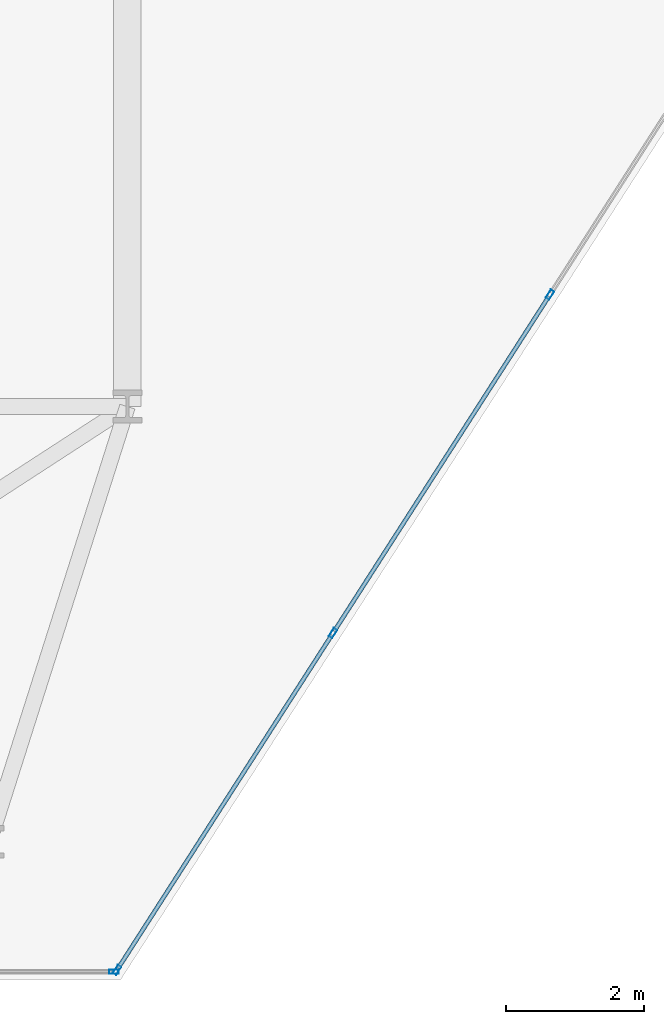
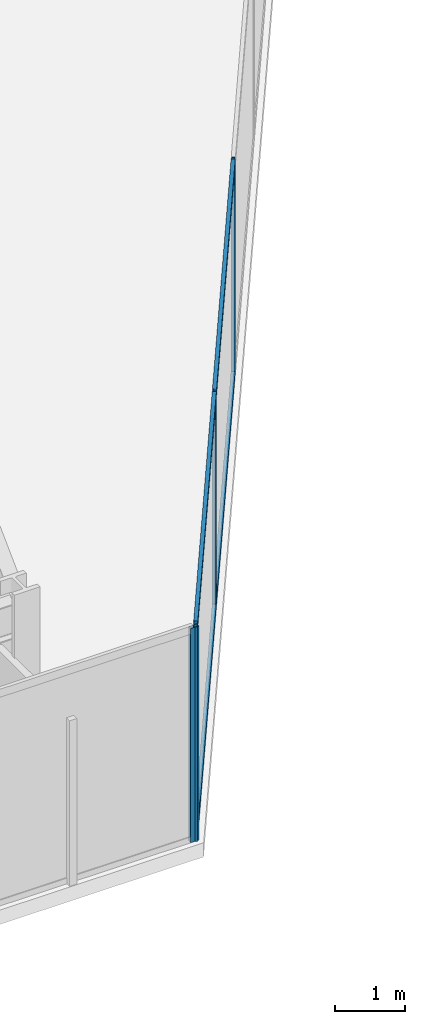
# One storey, part 7 of 26: 8 members, 2 elements without a shape of their own.
"""IFC4 building model written with IfcOpenShell, lengths in metres."""

import ifcopenshell
import ifcopenshell.guid

model = None  # the IFC model being written
_history = None  # IfcOwnerHistory: only IFC2X3 demands one
_inside = {}  # id of a spatial element -> (the spatial element, [elements in it])
_under = {}  # id of a project, library or spatial element -> (it, [spatial elements below it])
_declared = {}  # id of a project -> (the project, [libraries it declares])
_typed = {}  # id of a type object -> (the type object, [elements of that type])
_made_of = {}  # id of a material, layer set ... -> (it, [elements and type objects made of it])


def new_model(schema):
    """Start an empty IFC model of exactly this schema.

    Asked for "IFC4X3", IfcOpenShell would pick the latest addendum, in which some entities
    have other attributes; the version numbers below select the first issue.
    IFC2X3 requires an IfcOwnerHistory on every rooted entity: one is made here for all.
    """
    global model, _history
    if schema == "IFC4X3":
        model = ifcopenshell.file(schema_version=(4, 3, 0, 0))
    else:
        model = ifcopenshell.file(schema=schema)
    _inside.clear()
    _under.clear()
    _declared.clear()
    _typed.clear()
    _made_of.clear()
    _history = None
    if model.schema == "IFC2X3":
        org = make("IfcOrganization", Name="unknown")
        user = make(
            "IfcPersonAndOrganization",
            ThePerson=make("IfcPerson", FamilyName="unknown"),
            TheOrganization=org,
        )
        app = make(
            "IfcApplication",
            ApplicationDeveloper=org,
            Version="unknown",
            ApplicationFullName="unknown",
            ApplicationIdentifier="unknown",
        )
        _history = make(
            "IfcOwnerHistory",
            OwningUser=user,
            OwningApplication=app,
            ChangeAction="ADDED",
            CreationDate=0,
        )
    return model


def make(cls, **values):
    """One entity of the class cls with the attributes given. An attribute that is None is left unset."""
    return model.create_entity(
        cls, **{name: value for name, value in values.items() if value is not None}
    )


def rooted(cls, **values):
    """An entity with a GlobalId (a new one), such as an element, a storey or a relation."""
    return make(cls, GlobalId=ifcopenshell.guid.new(), OwnerHistory=_history, **values)


def si_unit(unit_type, name, prefix=None):
    """IfcSIUnit, for example si_unit("LENGTHUNIT", "METRE", prefix="MILLI")."""
    return make("IfcSIUnit", UnitType=unit_type, Prefix=prefix, Name=name)


def assignment(units):
    """IfcUnitAssignment: the units of a project."""
    return None if units is None else make("IfcUnitAssignment", Units=units)


def point(xyz):
    """IfcCartesianPoint."""
    return None if xyz is None else make("IfcCartesianPoint", Coordinates=xyz)


def direction(xyz):
    """IfcDirection."""
    return None if xyz is None else make("IfcDirection", DirectionRatios=xyz)


def frame(location, z_axis=None, x_axis=None):
    """IfcAxis2Placement3D, a coordinate frame: its origin and axes. An axis left out is left unset."""
    return make(
        "IfcAxis2Placement3D",
        Location=point(location),
        Axis=direction(z_axis),
        RefDirection=direction(x_axis),
    )


def frame_2d(location, x_axis=None):
    """IfcAxis2Placement2D, a coordinate frame in the plane: its origin and x axis."""
    return make(
        "IfcAxis2Placement2D", Location=point(location), RefDirection=direction(x_axis)
    )


def origin():
    """The frame at (0, 0, 0) with its axes left unset."""
    return frame((0.0, 0.0, 0.0))


def origin_2d():
    """The frame at (0, 0) in the plane with its x axis left unset."""
    return frame_2d((0.0, 0.0))


def place(relative_to, where):
    """IfcLocalPlacement: puts the frame where relative to a parent placement (None: the world)."""
    return make(
        "IfcLocalPlacement", PlacementRelTo=relative_to, RelativePlacement=where
    )


def context(
    kind, dimensions, precision=None, world=None, true_north=None, identifier=None
):
    """IfcGeometricRepresentationContext, for example the 3D "Model" context."""
    return make(
        "IfcGeometricRepresentationContext",
        ContextIdentifier=identifier,
        ContextType=kind,
        CoordinateSpaceDimension=dimensions,
        Precision=precision,
        WorldCoordinateSystem=world,
        TrueNorth=true_north,
    )


def subcontext(parent, identifier, kind, view, scale=None):
    """IfcGeometricRepresentationSubContext, for example "Body" below "Model"."""
    return make(
        "IfcGeometricRepresentationSubContext",
        ContextIdentifier=identifier,
        ContextType=kind,
        ParentContext=parent,
        TargetScale=scale,
        TargetView=view,
    )


def project(units=None, contexts=None):
    """IfcProject with its units and contexts."""
    return rooted(
        "IfcProject",
        Name="project",
        RepresentationContexts=contexts,
        UnitsInContext=assignment(units),
    )


def spatial(cls, under=None, at=None, **own):
    """A site, building, storey or space (cls), placed at a placement, below another one or the project."""
    s = rooted(cls, ObjectPlacement=at, **own)
    if under is not None:
        _under.setdefault(under.id(), (under, []))[1].append(s)
    return s


def profile(cls, at=None, kind="AREA", **sizes):
    """A parametric profile (cls). Its sizes go by their IFC names, for example OverallWidth=200.0."""
    return make(cls, ProfileType=kind, Position=at, **sizes)


def hollow_rectangle(**sizes):
    """IfcRectangleHollowProfileDef."""
    return profile("IfcRectangleHollowProfileDef", **sizes)


def extrude(swept, where, along, depth):
    """IfcExtrudedAreaSolid: the profile swept, set in the frame where, extruded along a direction by depth."""
    return make(
        "IfcExtrudedAreaSolid",
        SweptArea=swept,
        Position=where,
        ExtrudedDirection=direction(along),
        Depth=depth,
    )


def shape(context_of_items, identifier, shape_type, items):
    """IfcShapeRepresentation: the items that make up one representation, for example the "Body"."""
    return make(
        "IfcShapeRepresentation",
        ContextOfItems=context_of_items,
        RepresentationIdentifier=identifier,
        RepresentationType=shape_type,
        Items=items,
    )


def material(Name=None, Category=None):
    """IfcMaterial."""
    return make("IfcMaterial", Name=Name, Category=Category)


def layer(
    of_material, thickness, ventilated=None, Name=None, Category=None, Priority=None
):
    """IfcMaterialLayer: one layer of a wall or slab, of a material (None: an air gap)."""
    return make(
        "IfcMaterialLayer",
        Material=of_material,
        LayerThickness=thickness,
        IsVentilated=ventilated,
        Name=Name,
        Category=Category,
        Priority=Priority,
    )


def layer_set(layers, Name=None):
    """IfcMaterialLayerSet."""
    return make("IfcMaterialLayerSet", MaterialLayers=layers, LayerSetName=Name)


def material_profile(
    of_material, cross_section, Name=None, Category=None, Priority=None
):
    """IfcMaterialProfile: a cross section and its material."""
    return make(
        "IfcMaterialProfile",
        Name=Name,
        Material=of_material,
        Profile=cross_section,
        Priority=Priority,
        Category=Category,
    )


def profile_set(profiles, Name=None, composite=None):
    """IfcMaterialProfileSet."""
    return make(
        "IfcMaterialProfileSet",
        Name=Name,
        MaterialProfiles=profiles,
        CompositeProfile=composite,
    )


def made_of(thing, what):
    """Note that an element or type object is made of a material, layer set ...; save() writes the relation."""
    if what is not None:
        _made_of.setdefault(what.id(), (what, []))[1].append(thing)
    return thing


def type_object(cls, material=None, **own):
    """A type object (cls), such as IfcWallType, which elements share."""
    return made_of(rooted(cls, **own), material)


def element(
    cls,
    number,
    at=None,
    inside=None,
    cuts=None,
    type_object=None,
    material=None,
    context=None,
    identifier="Body",
    shape_type=None,
    held_by="IfcProductDefinitionShape",
    body=None,
    shapes=None,
    **own,
):
    """One element of the class cls, such as IfcWall. Its Tag is "e" and its number.

    at: its placement. inside: the storey or other place that contains it. cuts: it is an
    opening in that element (IfcRelVoidsElement). A single representation is given by context,
    identifier, shape_type and body (its items); several are given by shapes. held_by: the class
    of the entity that holds the representations. save() writes the other relations.
    """
    e = rooted(cls, Tag="e%d" % number, ObjectPlacement=at, **own)
    if body is not None:
        shapes = [shape(context, identifier, shape_type, body)]
    if shapes is not None:
        e.Representation = make(held_by, Representations=shapes)
    if inside is not None:
        _inside.setdefault(inside.id(), (inside, []))[1].append(e)
    if cuts is not None:
        rooted(
            "IfcRelVoidsElement", RelatingBuildingElement=cuts, RelatedOpeningElement=e
        )
    if type_object is not None:
        _typed.setdefault(type_object.id(), (type_object, []))[1].append(e)
    return made_of(e, material)


def aggregate(whole, parts):
    """IfcRelAggregates: a whole, such as a stair, and the parts it consists of."""
    return rooted("IfcRelAggregates", RelatingObject=whole, RelatedObjects=parts)


def save(model, path):
    """Write the relations noted so far, then the file.

    IfcRelAggregates (storeys below a building ...), IfcRelContainedInSpatialStructure (elements
    in a storey), IfcRelDefinesByType, IfcRelAssociatesMaterial and IfcRelDeclares: one each for
    every whole, place, type object, material and project.
    """
    for whole, parts in _under.values():
        aggregate(whole, parts)
    for where, things in _inside.values():
        rooted(
            "IfcRelContainedInSpatialStructure",
            RelatedElements=things,
            RelatingStructure=where,
        )
    for kind, things in _typed.values():
        rooted("IfcRelDefinesByType", RelatedObjects=things, RelatingType=kind)
    for what, things in _made_of.values():
        rooted("IfcRelAssociatesMaterial", RelatedObjects=things, RelatingMaterial=what)
    for by, libraries in _declared.values():
        rooted("IfcRelDeclares", RelatingContext=by, RelatedDefinitions=libraries)
    model.write(path)


model = new_model("IFC4")

# Units and contexts
model_context = context("Model", 3, precision=1e-05, world=origin(), true_north=direction((0.0, 1.0)))
body_context = subcontext(model_context, "Body", "Model", "MODEL_VIEW")
ifc_project = project(units=[si_unit("LENGTHUNIT", "METRE"), si_unit("AREAUNIT", "SQUARE_METRE"), si_unit("VOLUMEUNIT", "CUBIC_METRE"), si_unit("PLANEANGLEUNIT", "RADIAN"), si_unit("MASSUNIT", "GRAM", prefix="KILO")], contexts=[model_context])

# Site, building, storey
site_placement = place(None, origin())
site = spatial("IfcSite", under=ifc_project, at=site_placement, CompositionType="ELEMENT")
building_placement = place(site_placement, origin())
building = spatial("IfcBuilding", under=site, at=building_placement, Name="Kravanh Interchange Tower", CompositionType="ELEMENT")
storey_placement = place(building_placement, frame((0.0, 0.0, 108.0)))
storey = spatial("IfcBuildingStorey", under=building, at=storey_placement, Name="L25", CompositionType="ELEMENT", Elevation=108.0)

# Curtain wall, members
ifc_material_1 = material(Name="Anodised Bronze Aluminium", Category="aluminium")
ifc_layer = layer(ifc_material_1, 0.179931640625)
ifc_layer_set = layer_set([ifc_layer], Name="Unitised Curtain Wall System CW-Z2 Mid Office")
curtain_wall_type = type_object("IfcCurtainWallType", Name="Unitised Curtain Wall System CW-Z2 Mid Office", PredefinedType="NOTDEFINED", material=ifc_layer_set)
curtain_wall_1_placement = place(storey_placement, origin())
curtain_wall_1 = element("IfcCurtainWall", 1, at=curtain_wall_1_placement, inside=storey, type_object=curtain_wall_type, Name="L25 Unitised Curtain Wall CW-L25-05", PredefinedType="NOTDEFINED")
ifc_material_2 = material(Name="Anodised Bronze Aluminium", Category="aluminium")
ifc_material_profile_1 = material_profile(ifc_material_2, hollow_rectangle(XDim=0.06005859375, YDim=0.139892578125, WallThickness=0.00390625, at=origin_2d()), Name="ALU60X140X4")
ifc_profile_set_1 = profile_set([ifc_material_profile_1], Name="Anodised Bronze Aluminium")
member_type_1 = type_object("IfcMemberType", Name="Curtain Wall Mullion ALU60X140X4 Bronze", PredefinedType="MULLION", material=ifc_profile_set_1)
member_1_placement = place(storey_placement, frame((33.317138671875, 16.12109375, 0.0), z_axis=(0.0, 0.0, 1.0), x_axis=(0.841879939476, -0.539664865919, 0.0)))
member_1 = element("IfcMember", 2, at=member_1_placement, type_object=member_type_1, Name="CW-Z2 mullion 3", PredefinedType="MULLION", context=body_context, shape_type="SweptSolid", body=[
    extrude(hollow_rectangle(XDim=0.06005859375, YDim=0.139892578125, WallThickness=0.00390625, at=origin_2d()), origin(), (0.0, 0.0, 1.0), 3.75),
])
member_2_placement = place(storey_placement, frame((30.17578125, 11.220703125, 0.0), z_axis=(0.0, 0.0, 1.0), x_axis=(0.841879939476, -0.539664865919, 0.0)))
member_2 = element("IfcMember", 3, at=member_2_placement, type_object=member_type_1, Name="CW-Z2 mullion 4", PredefinedType="MULLION", context=body_context, shape_type="SweptSolid", body=[
    extrude(hollow_rectangle(XDim=0.06005859375, YDim=0.139892578125, WallThickness=0.00390625, at=origin_2d()), origin(), (0.0, 0.0, 1.0), 3.75),
])
member_3_placement = place(storey_placement, frame((27.050537109375, 6.34521484375, 0.0), z_axis=(0.0, 0.0, 1.0), x_axis=(0.841879939476, -0.539664865919, 0.0)))
member_3 = element("IfcMember", 4, at=member_3_placement, type_object=member_type_1, Name="CW-Z2 mullion 5", PredefinedType="MULLION", context=body_context, shape_type="SweptSolid", body=[
    extrude(hollow_rectangle(XDim=0.06005859375, YDim=0.139892578125, WallThickness=0.00390625, at=origin_2d()), origin(), (0.0, 0.0, 1.0), 3.75),
])

# Curtain wall, member
curtain_wall_2_placement = place(storey_placement, origin())
curtain_wall_2 = element("IfcCurtainWall", 5, at=curtain_wall_2_placement, inside=storey, type_object=curtain_wall_type, Name="L25 Unitised Curtain Wall CW-L25-06", PredefinedType="NOTDEFINED")
member_4_placement = place(storey_placement, frame((27.00439453125, 6.320068359375, 0.0), z_axis=(0.0, 0.0, 1.0), x_axis=(0.0, -1.0, 0.0)))
member_4 = element("IfcMember", 6, at=member_4_placement, type_object=member_type_1, Name="CW-Z2 mullion 1", PredefinedType="MULLION", context=body_context, shape_type="SweptSolid", body=[
    extrude(hollow_rectangle(XDim=0.06005859375, YDim=0.139892578125, WallThickness=0.00390625, at=origin_2d()), origin(), (0.0, 0.0, 1.0), 3.75),
])
aggregate(curtain_wall_2, [member_4])

# Member
ifc_material_3 = material(Name="Anodised Bronze Aluminium", Category="aluminium")
ifc_material_profile_2 = material_profile(ifc_material_3, hollow_rectangle(XDim=0.06005859375, YDim=0.139892578125, WallThickness=0.00390625, at=origin_2d()), Name="ALU60X140X4")
ifc_profile_set_2 = profile_set([ifc_material_profile_2], Name="Anodised Bronze Aluminium")
member_type_2 = type_object("IfcMemberType", Name="Curtain Wall Transom ALU60X140X4 Bronze", PredefinedType="USERDEFINED", material=ifc_profile_set_2)
member_5_placement = place(storey_placement, frame((33.301025390625, 16.095947265625, 0.030029296875), z_axis=(-0.539677666788, -0.84187173368, 0.0), x_axis=(0.84187173368, -0.539677666788, 0.0)))
member_5 = element("IfcMember", 7, at=member_5_placement, type_object=member_type_2, Name="CW-Z2 transom 3.1", ObjectType="TRANSOM", PredefinedType="USERDEFINED", context=body_context, shape_type="SweptSolid", body=[
    extrude(hollow_rectangle(XDim=0.06005859375, YDim=0.139892578125, WallThickness=0.00390625, at=origin_2d()), origin(), (0.0, 0.0, 1.0), 5.760986328125),
])

member_6_placement = place(storey_placement, frame((33.301025390625, 16.095947265625, 3.719970703125), z_axis=(-0.539677666788, -0.84187173368, 0.0), x_axis=(0.84187173368, -0.539677666788, 0.0)))
member_6 = element("IfcMember", 8, at=member_6_placement, type_object=member_type_2, Name="CW-Z2 transom 3.2", ObjectType="TRANSOM", PredefinedType="USERDEFINED", context=body_context, shape_type="SweptSolid", body=[
    extrude(hollow_rectangle(XDim=0.06005859375, YDim=0.139892578125, WallThickness=0.00390625, at=origin_2d()), origin(), (0.0, 0.0, 1.0), 5.760986328125),
])

member_7_placement = place(storey_placement, frame((30.15966796875, 11.1953125, 0.030029296875), z_axis=(-0.53966766312, -0.841878146398, 0.0), x_axis=(0.841878146398, -0.53966766312, 0.0)))
member_7 = element("IfcMember", 9, at=member_7_placement, type_object=member_type_2, Name="CW-Z2 transom 4.1", ObjectType="TRANSOM", PredefinedType="USERDEFINED", context=body_context, shape_type="SweptSolid", body=[
    extrude(hollow_rectangle(XDim=0.06005859375, YDim=0.139892578125, WallThickness=0.00390625, at=origin_2d()), origin(), (0.0, 0.0, 1.0), 5.73095703125),
])

member_8_placement = place(storey_placement, frame((30.15966796875, 11.1953125, 3.719970703125), z_axis=(-0.53966766312, -0.841878146398, 0.0), x_axis=(0.841878146398, -0.53966766312, 0.0)))
member_8 = element("IfcMember", 10, at=member_8_placement, type_object=member_type_2, Name="CW-Z2 transom 4.2", ObjectType="TRANSOM", PredefinedType="USERDEFINED", context=body_context, shape_type="SweptSolid", body=[
    extrude(hollow_rectangle(XDim=0.06005859375, YDim=0.139892578125, WallThickness=0.00390625, at=origin_2d()), origin(), (0.0, 0.0, 1.0), 5.73095703125),
])

aggregate(curtain_wall_1, [member_1, member_2, member_3, member_5, member_6, member_7, member_8])

save(model, "model.ifc")
